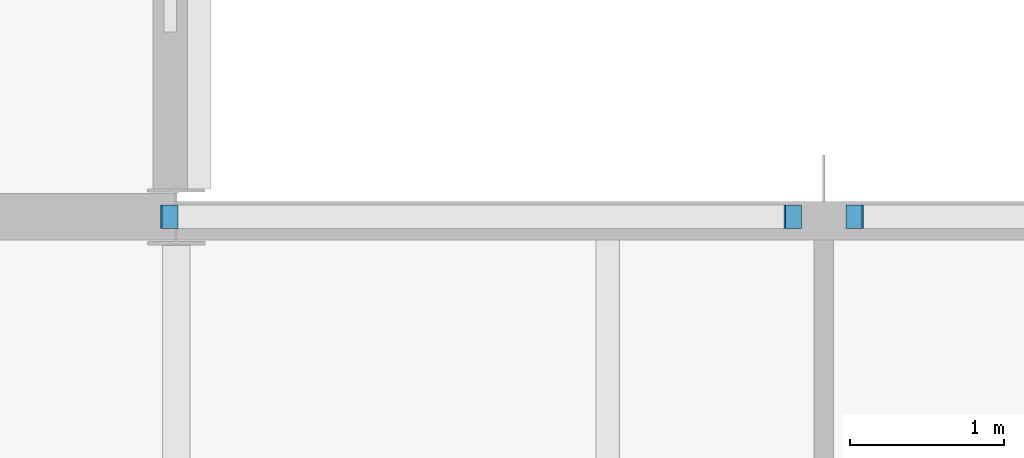
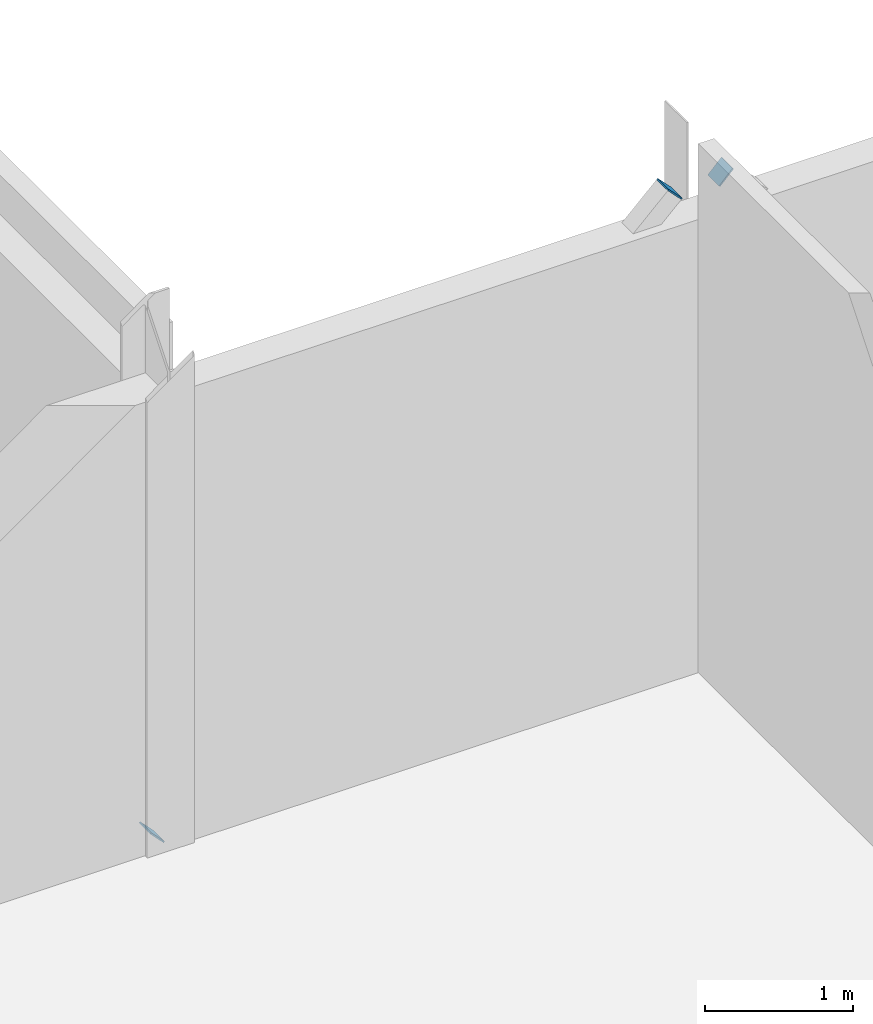
# One storey, part 52 of 72: 3 discrete accessories.
"""IFC4 building model written with IfcOpenShell, lengths in metres."""

from ifc_helpers import new_model, si_unit, direction, frame, origin, origin_2d, place, context, subcontext, project, spatial, rectangle, extrude, material, element, save


model = new_model("IFC4")

# Units and contexts
model_context = context("Model", 3, precision=1e-05, world=origin(), true_north=direction((0.0, 1.0)))
body_context = subcontext(model_context, "Body", "Model", "MODEL_VIEW")
ifc_project = project(units=[si_unit("LENGTHUNIT", "METRE"), si_unit("AREAUNIT", "SQUARE_METRE"), si_unit("VOLUMEUNIT", "CUBIC_METRE"), si_unit("PLANEANGLEUNIT", "RADIAN"), si_unit("MASSUNIT", "GRAM", prefix="KILO")], contexts=[model_context])

# Site, building, storey
site_placement = place(None, origin())
site = spatial("IfcSite", under=ifc_project, at=site_placement, CompositionType="ELEMENT")
building_placement = place(site_placement, origin())
building = spatial("IfcBuilding", under=site, at=building_placement, Name="Hlaing Beacon Police Headquarters", CompositionType="ELEMENT")
storey_placement = place(building_placement, frame((0.0, 0.0, 14.39990234375)))
storey = spatial("IfcBuildingStorey", under=building, at=storey_placement, Name="L03", CompositionType="ELEMENT", Elevation=14.39990234375)

# Discrete accessories
ifc_material = material(Name="Steel ASTM A572 Grade 50", Category="steel")
for number, where, z_axis, x_axis, name in (
    (1, (33.560302734375, 33.60009765625, 0.059326171875), (-0.720004836827, 0.0, -0.693969044659), (0.0, -1.0, 0.0), "Gusset plate GP-025"),
    (2, (37.595703125, 33.60009765625, 3.948974609375), (0.720004836827, 0.0, 0.693969044659), (0.0, 1.0, 0.0), "Gusset plate GP-026"),
    (3, (38.00439453125, 33.60009765625, 3.948974609375), (-0.719983903196, 0.0, 0.693990763006), (0.0, -1.0, 0.0), "Gusset plate GP-028"),
):
    element("IfcDiscreteAccessory", number, at=place(storey_placement, frame(where, z_axis=z_axis, x_axis=x_axis)), inside=storey, material=ifc_material, Name=name, PredefinedType="BRACKET", context=body_context, shape_type="SweptSolid", body=[
        extrude(rectangle(XDim=0.15234375, YDim=0.15234375, at=origin_2d()), origin(), (0.0, 0.0, 1.0), 0.011962890625),
    ])

save(model, "model.ifc")
